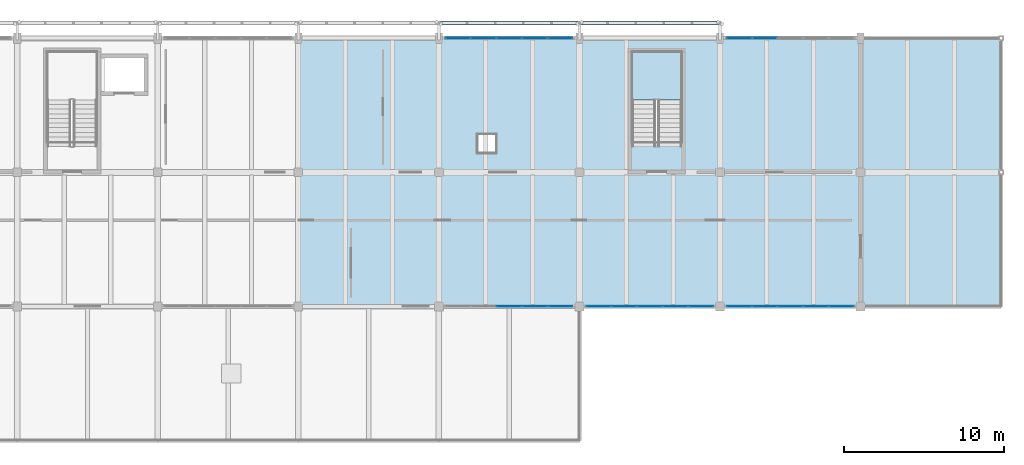
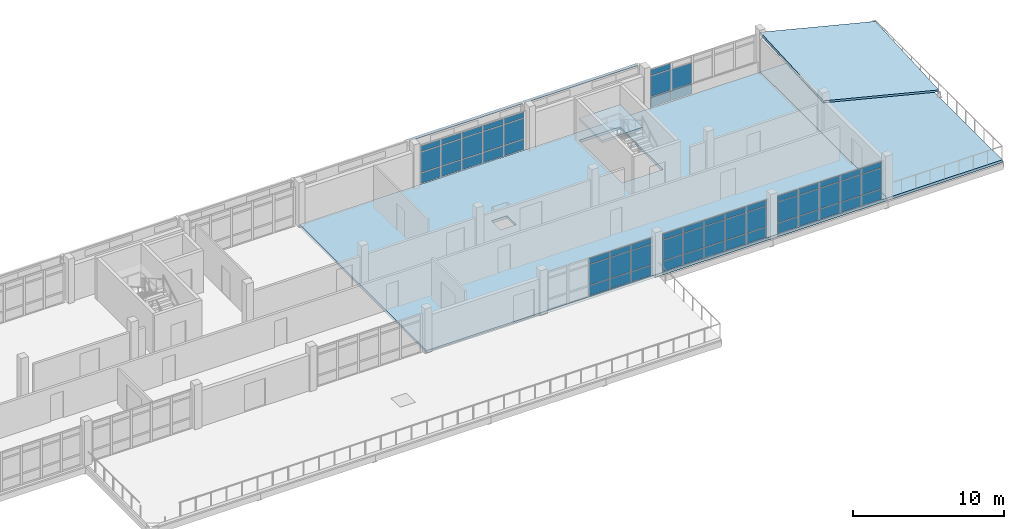
# One storey, part 22 of 30: 61 plates, 4 slabs, 6 elements without a shape of their own.
"""IFC4 building model written with IfcOpenShell, lengths in metres."""

from ifc_helpers import new_model, si_unit, direction, frame, origin, origin_2d, place, context, subcontext, project, spatial, polyline, rectangle, outline, extrude, material, layer, layer_set, type_object, element, aggregate, save


model = new_model("IFC4")

# Units and contexts
model_context = context("Model", 3, precision=1e-05, world=origin(), true_north=direction((0.0, 1.0)))
body_context = subcontext(model_context, "Body", "Model", "MODEL_VIEW")
ifc_project = project(units=[si_unit("LENGTHUNIT", "METRE"), si_unit("AREAUNIT", "SQUARE_METRE"), si_unit("VOLUMEUNIT", "CUBIC_METRE"), si_unit("PLANEANGLEUNIT", "RADIAN"), si_unit("MASSUNIT", "GRAM", prefix="KILO")], contexts=[model_context])

# Site, building, storey
site_placement = place(None, origin())
site = spatial("IfcSite", under=ifc_project, at=site_placement, CompositionType="ELEMENT")
building_placement = place(site_placement, origin())
building = spatial("IfcBuilding", under=site, at=building_placement, Name="Cinderway Yard Community Centre", CompositionType="ELEMENT")
storey_placement = place(building_placement, frame((0.0, 0.0, 16.5)))
storey = spatial("IfcBuildingStorey", under=building, at=storey_placement, Name="L04", CompositionType="ELEMENT", Elevation=16.5)

# Curtain wall, plates
ifc_material_1 = material(Name="Aluminium 6063-T6", Category="aluminium")
curtain_wall_type = type_object("IfcCurtainWallType", Name="ENV-CW-TYPE-33", PredefinedType="USERDEFINED", material=ifc_material_1)
curtain_wall_1_placement = place(storey_placement, origin())
curtain_wall_1 = element("IfcCurtainWall", 1, at=curtain_wall_1_placement, inside=storey, type_object=curtain_wall_type, Name="V4 Street Curtain Wall ENV-CW-L04-ST-0183", ObjectType="GLAZED CURTAIN WALL", PredefinedType="USERDEFINED")
ifc_material_2 = material(Name="Laminated Low-E Glass", Category="glass")
ifc_layer_1 = layer(ifc_material_2, 0.028076171875, Name="Laminated Low-E Glass")
ifc_layer_set_1 = layer_set([ifc_layer_1], Name="Laminated Low-E Glass")
plate_type_1 = type_object("IfcPlateType", Name="ENV-CW-PAN-IGU28", PredefinedType="CURTAIN_PANEL", material=ifc_layer_set_1)
plate_1_placement = place(storey_placement, frame((102.799072265625, 115.199951171875, 0.06005859375), z_axis=(0.0, 0.0, 1.0), x_axis=(1.0, 0.0, 0.0)))
plate_1 = element("IfcPlate", 2, at=plate_1_placement, type_object=plate_type_1, Name="CW-33 panel 1.1", PredefinedType="CURTAIN_PANEL", context=body_context, shape_type="SweptSolid", body=[
    extrude(rectangle(XDim=1.51806640625, YDim=0.028076171875, at=origin_2d()), origin(), (0.0, 0.0, 1.0), 0.81005859375),
])
plate_2_placement = place(storey_placement, frame((102.799072265625, 115.199951171875, 0.93017578125), z_axis=(0.0, 0.0, 1.0), x_axis=(1.0, 0.0, 0.0)))
plate_2 = element("IfcPlate", 3, at=plate_2_placement, type_object=plate_type_1, Name="CW-33 panel 1.2", PredefinedType="CURTAIN_PANEL", context=body_context, shape_type="SweptSolid", body=[
    extrude(rectangle(XDim=1.51806640625, YDim=0.028076171875, at=origin_2d()), origin(), (0.0, 0.0, 1.0), 1.639892578125),
])
plate_3_placement = place(storey_placement, frame((102.799072265625, 115.199951171875, 2.630126953125), z_axis=(0.0, 0.0, 1.0), x_axis=(1.0, 0.0, 0.0)))
plate_3 = element("IfcPlate", 4, at=plate_3_placement, type_object=plate_type_1, Name="CW-33 panel 1.3", PredefinedType="CURTAIN_PANEL", context=body_context, shape_type="SweptSolid", body=[
    extrude(rectangle(XDim=1.51806640625, YDim=0.028076171875, at=origin_2d()), origin(), (0.0, 0.0, 1.0), 0.4599609375),
])
plate_4_placement = place(storey_placement, frame((104.39208984375, 115.199951171875, 0.06005859375), z_axis=(0.0, 0.0, 1.0), x_axis=(1.0, 0.0, 0.0)))
plate_4 = element("IfcPlate", 5, at=plate_4_placement, type_object=plate_type_1, Name="CW-33 panel 2.1", PredefinedType="CURTAIN_PANEL", context=body_context, shape_type="SweptSolid", body=[
    extrude(rectangle(XDim=1.548095703125, YDim=0.028076171875, at=origin_2d()), origin(), (0.0, 0.0, 1.0), 0.81005859375),
])
plate_5_placement = place(storey_placement, frame((104.39208984375, 115.199951171875, 0.93017578125), z_axis=(0.0, 0.0, 1.0), x_axis=(1.0, 0.0, 0.0)))
plate_5 = element("IfcPlate", 6, at=plate_5_placement, type_object=plate_type_1, Name="CW-33 panel 2.2", PredefinedType="CURTAIN_PANEL", context=body_context, shape_type="SweptSolid", body=[
    extrude(rectangle(XDim=1.548095703125, YDim=0.028076171875, at=origin_2d()), origin(), (0.0, 0.0, 1.0), 1.639892578125),
])
plate_6_placement = place(storey_placement, frame((104.39208984375, 115.199951171875, 2.630126953125), z_axis=(0.0, 0.0, 1.0), x_axis=(1.0, 0.0, 0.0)))
plate_6 = element("IfcPlate", 7, at=plate_6_placement, type_object=plate_type_1, Name="CW-33 panel 2.3", PredefinedType="CURTAIN_PANEL", context=body_context, shape_type="SweptSolid", body=[
    extrude(rectangle(XDim=1.548095703125, YDim=0.028076171875, at=origin_2d()), origin(), (0.0, 0.0, 1.0), 0.4599609375),
])
plate_7_placement = place(storey_placement, frame((106.0, 115.199951171875, 0.06005859375), z_axis=(0.0, 0.0, 1.0), x_axis=(1.0, 0.0, 0.0)))
plate_7 = element("IfcPlate", 8, at=plate_7_placement, type_object=plate_type_1, Name="CW-33 panel 3.1", PredefinedType="CURTAIN_PANEL", context=body_context, shape_type="SweptSolid", body=[
    extrude(rectangle(XDim=1.548095703125, YDim=0.028076171875, at=origin_2d()), origin(), (0.0, 0.0, 1.0), 0.81005859375),
])
plate_8_placement = place(storey_placement, frame((106.0, 115.199951171875, 0.93017578125), z_axis=(0.0, 0.0, 1.0), x_axis=(1.0, 0.0, 0.0)))
plate_8 = element("IfcPlate", 9, at=plate_8_placement, type_object=plate_type_1, Name="CW-33 panel 3.2", PredefinedType="CURTAIN_PANEL", context=body_context, shape_type="SweptSolid", body=[
    extrude(rectangle(XDim=1.548095703125, YDim=0.028076171875, at=origin_2d()), origin(), (0.0, 0.0, 1.0), 1.639892578125),
])
plate_9_placement = place(storey_placement, frame((106.0, 115.199951171875, 2.630126953125), z_axis=(0.0, 0.0, 1.0), x_axis=(1.0, 0.0, 0.0)))
plate_9 = element("IfcPlate", 10, at=plate_9_placement, type_object=plate_type_1, Name="CW-33 panel 3.3", PredefinedType="CURTAIN_PANEL", context=body_context, shape_type="SweptSolid", body=[
    extrude(rectangle(XDim=1.548095703125, YDim=0.028076171875, at=origin_2d()), origin(), (0.0, 0.0, 1.0), 0.4599609375),
])
plate_10_placement = place(storey_placement, frame((107.60791015625, 115.199951171875, 0.06005859375), z_axis=(0.0, 0.0, 1.0), x_axis=(1.0, 0.0, 0.0)))
plate_10 = element("IfcPlate", 11, at=plate_10_placement, type_object=plate_type_1, Name="CW-33 panel 4.1", PredefinedType="CURTAIN_PANEL", context=body_context, shape_type="SweptSolid", body=[
    extrude(rectangle(XDim=1.548095703125, YDim=0.028076171875, at=origin_2d()), origin(), (0.0, 0.0, 1.0), 0.81005859375),
])
plate_11_placement = place(storey_placement, frame((107.60791015625, 115.199951171875, 0.93017578125), z_axis=(0.0, 0.0, 1.0), x_axis=(1.0, 0.0, 0.0)))
plate_11 = element("IfcPlate", 12, at=plate_11_placement, type_object=plate_type_1, Name="CW-33 panel 4.2", PredefinedType="CURTAIN_PANEL", context=body_context, shape_type="SweptSolid", body=[
    extrude(rectangle(XDim=1.548095703125, YDim=0.028076171875, at=origin_2d()), origin(), (0.0, 0.0, 1.0), 1.639892578125),
])
plate_12_placement = place(storey_placement, frame((107.60791015625, 115.199951171875, 2.630126953125), z_axis=(0.0, 0.0, 1.0), x_axis=(1.0, 0.0, 0.0)))
plate_12 = element("IfcPlate", 13, at=plate_12_placement, type_object=plate_type_1, Name="CW-33 panel 4.3", PredefinedType="CURTAIN_PANEL", context=body_context, shape_type="SweptSolid", body=[
    extrude(rectangle(XDim=1.548095703125, YDim=0.028076171875, at=origin_2d()), origin(), (0.0, 0.0, 1.0), 0.4599609375),
])
plate_13_placement = place(storey_placement, frame((109.200927734375, 115.199951171875, 0.06005859375), z_axis=(0.0, 0.0, 1.0), x_axis=(1.0, 0.0, 0.0)))
plate_13 = element("IfcPlate", 14, at=plate_13_placement, type_object=plate_type_1, Name="CW-33 panel 5.1", PredefinedType="CURTAIN_PANEL", context=body_context, shape_type="SweptSolid", body=[
    extrude(rectangle(XDim=1.51806640625, YDim=0.028076171875, at=origin_2d()), origin(), (0.0, 0.0, 1.0), 0.81005859375),
])
plate_14_placement = place(storey_placement, frame((109.200927734375, 115.199951171875, 0.93017578125), z_axis=(0.0, 0.0, 1.0), x_axis=(1.0, 0.0, 0.0)))
plate_14 = element("IfcPlate", 15, at=plate_14_placement, type_object=plate_type_1, Name="CW-33 panel 5.2", PredefinedType="CURTAIN_PANEL", context=body_context, shape_type="SweptSolid", body=[
    extrude(rectangle(XDim=1.51806640625, YDim=0.028076171875, at=origin_2d()), origin(), (0.0, 0.0, 1.0), 1.639892578125),
])
plate_15_placement = place(storey_placement, frame((109.200927734375, 115.199951171875, 2.630126953125), z_axis=(0.0, 0.0, 1.0), x_axis=(1.0, 0.0, 0.0)))
plate_15 = element("IfcPlate", 16, at=plate_15_placement, type_object=plate_type_1, Name="CW-33 panel 5.3", PredefinedType="CURTAIN_PANEL", context=body_context, shape_type="SweptSolid", body=[
    extrude(rectangle(XDim=1.51806640625, YDim=0.028076171875, at=origin_2d()), origin(), (0.0, 0.0, 1.0), 0.4599609375),
])
aggregate(curtain_wall_1, [plate_1, plate_2, plate_3, plate_4, plate_5, plate_6, plate_7, plate_8, plate_9, plate_10, plate_11, plate_12, plate_13, plate_14, plate_15])

curtain_wall_2_placement = place(storey_placement, origin())
curtain_wall_2 = element("IfcCurtainWall", 17, at=curtain_wall_2_placement, inside=storey, type_object=curtain_wall_type, Name="V4 Courtyard Curtain Wall ENV-CW-L04-ST-0184", ObjectType="GLAZED CURTAIN WALL", PredefinedType="USERDEFINED")
plate_16_placement = place(storey_placement, frame((106.0, 98.39990234375, 0.06005859375), z_axis=(0.0, 0.0, 1.0), x_axis=(1.0, 0.0, 0.0)))
plate_16 = element("IfcPlate", 18, at=plate_16_placement, type_object=plate_type_1, Name="CW-33 panel 3.1", PredefinedType="CURTAIN_PANEL", context=body_context, shape_type="SweptSolid", body=[
    extrude(rectangle(XDim=1.548095703125, YDim=0.028076171875, at=origin_2d()), origin(), (0.0, 0.0, 1.0), 0.81005859375),
])
plate_17_placement = place(storey_placement, frame((106.0, 98.39990234375, 0.93017578125), z_axis=(0.0, 0.0, 1.0), x_axis=(1.0, 0.0, 0.0)))
plate_17 = element("IfcPlate", 19, at=plate_17_placement, type_object=plate_type_1, Name="CW-33 panel 3.2", PredefinedType="CURTAIN_PANEL", context=body_context, shape_type="SweptSolid", body=[
    extrude(rectangle(XDim=1.548095703125, YDim=0.028076171875, at=origin_2d()), origin(), (0.0, 0.0, 1.0), 1.639892578125),
])
plate_18_placement = place(storey_placement, frame((106.0, 98.39990234375, 2.630126953125), z_axis=(0.0, 0.0, 1.0), x_axis=(1.0, 0.0, 0.0)))
plate_18 = element("IfcPlate", 20, at=plate_18_placement, type_object=plate_type_1, Name="CW-33 panel 3.3", PredefinedType="CURTAIN_PANEL", context=body_context, shape_type="SweptSolid", body=[
    extrude(rectangle(XDim=1.548095703125, YDim=0.028076171875, at=origin_2d()), origin(), (0.0, 0.0, 1.0), 0.4599609375),
])
plate_19_placement = place(storey_placement, frame((107.60791015625, 98.39990234375, 0.06005859375), z_axis=(0.0, 0.0, 1.0), x_axis=(1.0, 0.0, 0.0)))
plate_19 = element("IfcPlate", 21, at=plate_19_placement, type_object=plate_type_1, Name="CW-33 panel 4.1", PredefinedType="CURTAIN_PANEL", context=body_context, shape_type="SweptSolid", body=[
    extrude(rectangle(XDim=1.548095703125, YDim=0.028076171875, at=origin_2d()), origin(), (0.0, 0.0, 1.0), 0.81005859375),
])
plate_20_placement = place(storey_placement, frame((107.60791015625, 98.39990234375, 0.93017578125), z_axis=(0.0, 0.0, 1.0), x_axis=(1.0, 0.0, 0.0)))
plate_20 = element("IfcPlate", 22, at=plate_20_placement, type_object=plate_type_1, Name="CW-33 panel 4.2", PredefinedType="CURTAIN_PANEL", context=body_context, shape_type="SweptSolid", body=[
    extrude(rectangle(XDim=1.548095703125, YDim=0.028076171875, at=origin_2d()), origin(), (0.0, 0.0, 1.0), 1.639892578125),
])
plate_21_placement = place(storey_placement, frame((107.60791015625, 98.39990234375, 2.630126953125), z_axis=(0.0, 0.0, 1.0), x_axis=(1.0, 0.0, 0.0)))
plate_21 = element("IfcPlate", 23, at=plate_21_placement, type_object=plate_type_1, Name="CW-33 panel 4.3", PredefinedType="CURTAIN_PANEL", context=body_context, shape_type="SweptSolid", body=[
    extrude(rectangle(XDim=1.548095703125, YDim=0.028076171875, at=origin_2d()), origin(), (0.0, 0.0, 1.0), 0.4599609375),
])
plate_22_placement = place(storey_placement, frame((109.200927734375, 98.39990234375, 0.06005859375), z_axis=(0.0, 0.0, 1.0), x_axis=(1.0, 0.0, 0.0)))
plate_22 = element("IfcPlate", 24, at=plate_22_placement, type_object=plate_type_1, Name="CW-33 panel 5.1", PredefinedType="CURTAIN_PANEL", context=body_context, shape_type="SweptSolid", body=[
    extrude(rectangle(XDim=1.51806640625, YDim=0.028076171875, at=origin_2d()), origin(), (0.0, 0.0, 1.0), 0.81005859375),
])
plate_23_placement = place(storey_placement, frame((109.200927734375, 98.39990234375, 0.93017578125), z_axis=(0.0, 0.0, 1.0), x_axis=(1.0, 0.0, 0.0)))
plate_23 = element("IfcPlate", 25, at=plate_23_placement, type_object=plate_type_1, Name="CW-33 panel 5.2", PredefinedType="CURTAIN_PANEL", context=body_context, shape_type="SweptSolid", body=[
    extrude(rectangle(XDim=1.51806640625, YDim=0.028076171875, at=origin_2d()), origin(), (0.0, 0.0, 1.0), 1.639892578125),
])
plate_24_placement = place(storey_placement, frame((109.200927734375, 98.39990234375, 2.630126953125), z_axis=(0.0, 0.0, 1.0), x_axis=(1.0, 0.0, 0.0)))
plate_24 = element("IfcPlate", 26, at=plate_24_placement, type_object=plate_type_1, Name="CW-33 panel 5.3", PredefinedType="CURTAIN_PANEL", context=body_context, shape_type="SweptSolid", body=[
    extrude(rectangle(XDim=1.51806640625, YDim=0.028076171875, at=origin_2d()), origin(), (0.0, 0.0, 1.0), 0.4599609375),
])
aggregate(curtain_wall_2, [plate_16, plate_17, plate_18, plate_19, plate_20, plate_21, plate_22, plate_23, plate_24])

curtain_wall_3_placement = place(storey_placement, origin())
curtain_wall_3 = element("IfcCurtainWall", 27, at=curtain_wall_3_placement, inside=storey, type_object=curtain_wall_type, Name="V4 Courtyard Curtain Wall ENV-CW-L04-ST-0185", ObjectType="GLAZED CURTAIN WALL", PredefinedType="USERDEFINED")
plate_25_placement = place(storey_placement, frame((111.59912109375, 98.39990234375, 0.06005859375), z_axis=(0.0, 0.0, 1.0), x_axis=(1.0, 0.0, 0.0)))
plate_25 = element("IfcPlate", 28, at=plate_25_placement, type_object=plate_type_1, Name="CW-33 panel 1.1", PredefinedType="CURTAIN_PANEL", context=body_context, shape_type="SweptSolid", body=[
    extrude(rectangle(XDim=1.51806640625, YDim=0.028076171875, at=origin_2d()), origin(), (0.0, 0.0, 1.0), 0.81005859375),
])
plate_26_placement = place(storey_placement, frame((111.59912109375, 98.39990234375, 0.93017578125), z_axis=(0.0, 0.0, 1.0), x_axis=(1.0, 0.0, 0.0)))
plate_26 = element("IfcPlate", 29, at=plate_26_placement, type_object=plate_type_1, Name="CW-33 panel 1.2", PredefinedType="CURTAIN_PANEL", context=body_context, shape_type="SweptSolid", body=[
    extrude(rectangle(XDim=1.51806640625, YDim=0.028076171875, at=origin_2d()), origin(), (0.0, 0.0, 1.0), 1.639892578125),
])
plate_27_placement = place(storey_placement, frame((111.59912109375, 98.39990234375, 2.630126953125), z_axis=(0.0, 0.0, 1.0), x_axis=(1.0, 0.0, 0.0)))
plate_27 = element("IfcPlate", 30, at=plate_27_placement, type_object=plate_type_1, Name="CW-33 panel 1.3", PredefinedType="CURTAIN_PANEL", context=body_context, shape_type="SweptSolid", body=[
    extrude(rectangle(XDim=1.51806640625, YDim=0.028076171875, at=origin_2d()), origin(), (0.0, 0.0, 1.0), 0.4599609375),
])
plate_28_placement = place(storey_placement, frame((113.19189453125, 98.39990234375, 0.06005859375), z_axis=(0.0, 0.0, 1.0), x_axis=(1.0, 0.0, 0.0)))
plate_28 = element("IfcPlate", 31, at=plate_28_placement, type_object=plate_type_1, Name="CW-33 panel 2.1", PredefinedType="CURTAIN_PANEL", context=body_context, shape_type="SweptSolid", body=[
    extrude(rectangle(XDim=1.548095703125, YDim=0.028076171875, at=origin_2d()), origin(), (0.0, 0.0, 1.0), 0.81005859375),
])
plate_29_placement = place(storey_placement, frame((113.19189453125, 98.39990234375, 0.93017578125), z_axis=(0.0, 0.0, 1.0), x_axis=(1.0, 0.0, 0.0)))
plate_29 = element("IfcPlate", 32, at=plate_29_placement, type_object=plate_type_1, Name="CW-33 panel 2.2", PredefinedType="CURTAIN_PANEL", context=body_context, shape_type="SweptSolid", body=[
    extrude(rectangle(XDim=1.548095703125, YDim=0.028076171875, at=origin_2d()), origin(), (0.0, 0.0, 1.0), 1.639892578125),
])
plate_30_placement = place(storey_placement, frame((113.19189453125, 98.39990234375, 2.630126953125), z_axis=(0.0, 0.0, 1.0), x_axis=(1.0, 0.0, 0.0)))
plate_30 = element("IfcPlate", 33, at=plate_30_placement, type_object=plate_type_1, Name="CW-33 panel 2.3", PredefinedType="CURTAIN_PANEL", context=body_context, shape_type="SweptSolid", body=[
    extrude(rectangle(XDim=1.548095703125, YDim=0.028076171875, at=origin_2d()), origin(), (0.0, 0.0, 1.0), 0.4599609375),
])
plate_31_placement = place(storey_placement, frame((114.800048828125, 98.39990234375, 0.06005859375), z_axis=(0.0, 0.0, 1.0), x_axis=(1.0, 0.0, 0.0)))
plate_31 = element("IfcPlate", 34, at=plate_31_placement, type_object=plate_type_1, Name="CW-33 panel 3.1", PredefinedType="CURTAIN_PANEL", context=body_context, shape_type="SweptSolid", body=[
    extrude(rectangle(XDim=1.548095703125, YDim=0.028076171875, at=origin_2d()), origin(), (0.0, 0.0, 1.0), 0.81005859375),
])
plate_32_placement = place(storey_placement, frame((114.800048828125, 98.39990234375, 0.93017578125), z_axis=(0.0, 0.0, 1.0), x_axis=(1.0, 0.0, 0.0)))
plate_32 = element("IfcPlate", 35, at=plate_32_placement, type_object=plate_type_1, Name="CW-33 panel 3.2", PredefinedType="CURTAIN_PANEL", context=body_context, shape_type="SweptSolid", body=[
    extrude(rectangle(XDim=1.548095703125, YDim=0.028076171875, at=origin_2d()), origin(), (0.0, 0.0, 1.0), 1.639892578125),
])
plate_33_placement = place(storey_placement, frame((114.800048828125, 98.39990234375, 2.630126953125), z_axis=(0.0, 0.0, 1.0), x_axis=(1.0, 0.0, 0.0)))
plate_33 = element("IfcPlate", 36, at=plate_33_placement, type_object=plate_type_1, Name="CW-33 panel 3.3", PredefinedType="CURTAIN_PANEL", context=body_context, shape_type="SweptSolid", body=[
    extrude(rectangle(XDim=1.548095703125, YDim=0.028076171875, at=origin_2d()), origin(), (0.0, 0.0, 1.0), 0.4599609375),
])
plate_34_placement = place(storey_placement, frame((116.407958984375, 98.39990234375, 0.06005859375), z_axis=(0.0, 0.0, 1.0), x_axis=(1.0, 0.0, 0.0)))
plate_34 = element("IfcPlate", 37, at=plate_34_placement, type_object=plate_type_1, Name="CW-33 panel 4.1", PredefinedType="CURTAIN_PANEL", context=body_context, shape_type="SweptSolid", body=[
    extrude(rectangle(XDim=1.548095703125, YDim=0.028076171875, at=origin_2d()), origin(), (0.0, 0.0, 1.0), 0.81005859375),
])
plate_35_placement = place(storey_placement, frame((116.407958984375, 98.39990234375, 0.93017578125), z_axis=(0.0, 0.0, 1.0), x_axis=(1.0, 0.0, 0.0)))
plate_35 = element("IfcPlate", 38, at=plate_35_placement, type_object=plate_type_1, Name="CW-33 panel 4.2", PredefinedType="CURTAIN_PANEL", context=body_context, shape_type="SweptSolid", body=[
    extrude(rectangle(XDim=1.548095703125, YDim=0.028076171875, at=origin_2d()), origin(), (0.0, 0.0, 1.0), 1.639892578125),
])
plate_36_placement = place(storey_placement, frame((116.407958984375, 98.39990234375, 2.630126953125), z_axis=(0.0, 0.0, 1.0), x_axis=(1.0, 0.0, 0.0)))
plate_36 = element("IfcPlate", 39, at=plate_36_placement, type_object=plate_type_1, Name="CW-33 panel 4.3", PredefinedType="CURTAIN_PANEL", context=body_context, shape_type="SweptSolid", body=[
    extrude(rectangle(XDim=1.548095703125, YDim=0.028076171875, at=origin_2d()), origin(), (0.0, 0.0, 1.0), 0.4599609375),
])
plate_37_placement = place(storey_placement, frame((118.0009765625, 98.39990234375, 0.06005859375), z_axis=(0.0, 0.0, 1.0), x_axis=(1.0, 0.0, 0.0)))
plate_37 = element("IfcPlate", 40, at=plate_37_placement, type_object=plate_type_1, Name="CW-33 panel 5.1", PredefinedType="CURTAIN_PANEL", context=body_context, shape_type="SweptSolid", body=[
    extrude(rectangle(XDim=1.51806640625, YDim=0.028076171875, at=origin_2d()), origin(), (0.0, 0.0, 1.0), 0.81005859375),
])
plate_38_placement = place(storey_placement, frame((118.0009765625, 98.39990234375, 0.93017578125), z_axis=(0.0, 0.0, 1.0), x_axis=(1.0, 0.0, 0.0)))
plate_38 = element("IfcPlate", 41, at=plate_38_placement, type_object=plate_type_1, Name="CW-33 panel 5.2", PredefinedType="CURTAIN_PANEL", context=body_context, shape_type="SweptSolid", body=[
    extrude(rectangle(XDim=1.51806640625, YDim=0.028076171875, at=origin_2d()), origin(), (0.0, 0.0, 1.0), 1.639892578125),
])
plate_39_placement = place(storey_placement, frame((118.0009765625, 98.39990234375, 2.630126953125), z_axis=(0.0, 0.0, 1.0), x_axis=(1.0, 0.0, 0.0)))
plate_39 = element("IfcPlate", 42, at=plate_39_placement, type_object=plate_type_1, Name="CW-33 panel 5.3", PredefinedType="CURTAIN_PANEL", context=body_context, shape_type="SweptSolid", body=[
    extrude(rectangle(XDim=1.51806640625, YDim=0.028076171875, at=origin_2d()), origin(), (0.0, 0.0, 1.0), 0.4599609375),
])
aggregate(curtain_wall_3, [plate_25, plate_26, plate_27, plate_28, plate_29, plate_30, plate_31, plate_32, plate_33, plate_34, plate_35, plate_36, plate_37, plate_38, plate_39])

curtain_wall_4_placement = place(storey_placement, origin())
curtain_wall_4 = element("IfcCurtainWall", 43, at=curtain_wall_4_placement, inside=storey, type_object=curtain_wall_type, Name="V4 Street Curtain Wall ENV-CW-L04-ST-0186", ObjectType="GLAZED CURTAIN WALL", PredefinedType="USERDEFINED")
plate_40_placement = place(storey_placement, frame((120.39892578125, 115.199951171875, 0.06005859375), z_axis=(0.0, 0.0, 1.0), x_axis=(1.0, 0.0, 0.0)))
plate_40 = element("IfcPlate", 44, at=plate_40_placement, type_object=plate_type_1, Name="CW-33 panel 1.1", PredefinedType="CURTAIN_PANEL", context=body_context, shape_type="SweptSolid", body=[
    extrude(rectangle(XDim=1.51806640625, YDim=0.028076171875, at=origin_2d()), origin(), (0.0, 0.0, 1.0), 0.81005859375),
])
plate_41_placement = place(storey_placement, frame((120.39892578125, 115.199951171875, 0.93017578125), z_axis=(0.0, 0.0, 1.0), x_axis=(1.0, 0.0, 0.0)))
plate_41 = element("IfcPlate", 45, at=plate_41_placement, type_object=plate_type_1, Name="CW-33 panel 1.2", PredefinedType="CURTAIN_PANEL", context=body_context, shape_type="SweptSolid", body=[
    extrude(rectangle(XDim=1.51806640625, YDim=0.028076171875, at=origin_2d()), origin(), (0.0, 0.0, 1.0), 1.639892578125),
])
plate_42_placement = place(storey_placement, frame((120.39892578125, 115.199951171875, 2.630126953125), z_axis=(0.0, 0.0, 1.0), x_axis=(1.0, 0.0, 0.0)))
plate_42 = element("IfcPlate", 46, at=plate_42_placement, type_object=plate_type_1, Name="CW-33 panel 1.3", PredefinedType="CURTAIN_PANEL", context=body_context, shape_type="SweptSolid", body=[
    extrude(rectangle(XDim=1.51806640625, YDim=0.028076171875, at=origin_2d()), origin(), (0.0, 0.0, 1.0), 0.4599609375),
])
plate_43_placement = place(storey_placement, frame((121.991943359375, 115.199951171875, 0.06005859375), z_axis=(0.0, 0.0, 1.0), x_axis=(1.0, 0.0, 0.0)))
plate_43 = element("IfcPlate", 47, at=plate_43_placement, type_object=plate_type_1, Name="CW-33 panel 2.1", PredefinedType="CURTAIN_PANEL", context=body_context, shape_type="SweptSolid", body=[
    extrude(rectangle(XDim=1.548095703125, YDim=0.028076171875, at=origin_2d()), origin(), (0.0, 0.0, 1.0), 0.81005859375),
])
plate_44_placement = place(storey_placement, frame((121.991943359375, 115.199951171875, 0.93017578125), z_axis=(0.0, 0.0, 1.0), x_axis=(1.0, 0.0, 0.0)))
plate_44 = element("IfcPlate", 48, at=plate_44_placement, type_object=plate_type_1, Name="CW-33 panel 2.2", PredefinedType="CURTAIN_PANEL", context=body_context, shape_type="SweptSolid", body=[
    extrude(rectangle(XDim=1.548095703125, YDim=0.028076171875, at=origin_2d()), origin(), (0.0, 0.0, 1.0), 1.639892578125),
])
aggregate(curtain_wall_4, [plate_40, plate_41, plate_42, plate_43, plate_44])

curtain_wall_5_placement = place(storey_placement, origin())
curtain_wall_5 = element("IfcCurtainWall", 49, at=curtain_wall_5_placement, inside=storey, type_object=curtain_wall_type, Name="V4 Courtyard Curtain Wall ENV-CW-L04-ST-0187", ObjectType="GLAZED CURTAIN WALL", PredefinedType="USERDEFINED")
plate_45_placement = place(storey_placement, frame((120.39892578125, 98.39990234375, 0.06005859375), z_axis=(0.0, 0.0, 1.0), x_axis=(1.0, 0.0, 0.0)))
plate_45 = element("IfcPlate", 50, at=plate_45_placement, type_object=plate_type_1, Name="CW-33 panel 1.1", PredefinedType="CURTAIN_PANEL", context=body_context, shape_type="SweptSolid", body=[
    extrude(rectangle(XDim=1.51806640625, YDim=0.028076171875, at=origin_2d()), origin(), (0.0, 0.0, 1.0), 0.81005859375),
])
plate_46_placement = place(storey_placement, frame((120.39892578125, 98.39990234375, 0.93017578125), z_axis=(0.0, 0.0, 1.0), x_axis=(1.0, 0.0, 0.0)))
plate_46 = element("IfcPlate", 51, at=plate_46_placement, type_object=plate_type_1, Name="CW-33 panel 1.2", PredefinedType="CURTAIN_PANEL", context=body_context, shape_type="SweptSolid", body=[
    extrude(rectangle(XDim=1.51806640625, YDim=0.028076171875, at=origin_2d()), origin(), (0.0, 0.0, 1.0), 1.639892578125),
])
plate_47_placement = place(storey_placement, frame((120.39892578125, 98.39990234375, 2.630126953125), z_axis=(0.0, 0.0, 1.0), x_axis=(1.0, 0.0, 0.0)))
plate_47 = element("IfcPlate", 52, at=plate_47_placement, type_object=plate_type_1, Name="CW-33 panel 1.3", PredefinedType="CURTAIN_PANEL", context=body_context, shape_type="SweptSolid", body=[
    extrude(rectangle(XDim=1.51806640625, YDim=0.028076171875, at=origin_2d()), origin(), (0.0, 0.0, 1.0), 0.4599609375),
])
plate_48_placement = place(storey_placement, frame((121.991943359375, 98.39990234375, 0.06005859375), z_axis=(0.0, 0.0, 1.0), x_axis=(1.0, 0.0, 0.0)))
plate_48 = element("IfcPlate", 53, at=plate_48_placement, type_object=plate_type_1, Name="CW-33 panel 2.1", PredefinedType="CURTAIN_PANEL", context=body_context, shape_type="SweptSolid", body=[
    extrude(rectangle(XDim=1.548095703125, YDim=0.028076171875, at=origin_2d()), origin(), (0.0, 0.0, 1.0), 0.81005859375),
])
plate_49_placement = place(storey_placement, frame((121.991943359375, 98.39990234375, 0.93017578125), z_axis=(0.0, 0.0, 1.0), x_axis=(1.0, 0.0, 0.0)))
plate_49 = element("IfcPlate", 54, at=plate_49_placement, type_object=plate_type_1, Name="CW-33 panel 2.2", PredefinedType="CURTAIN_PANEL", context=body_context, shape_type="SweptSolid", body=[
    extrude(rectangle(XDim=1.548095703125, YDim=0.028076171875, at=origin_2d()), origin(), (0.0, 0.0, 1.0), 1.639892578125),
])
plate_50_placement = place(storey_placement, frame((121.991943359375, 98.39990234375, 2.630126953125), z_axis=(0.0, 0.0, 1.0), x_axis=(1.0, 0.0, 0.0)))
plate_50 = element("IfcPlate", 55, at=plate_50_placement, type_object=plate_type_1, Name="CW-33 panel 2.3", PredefinedType="CURTAIN_PANEL", context=body_context, shape_type="SweptSolid", body=[
    extrude(rectangle(XDim=1.548095703125, YDim=0.028076171875, at=origin_2d()), origin(), (0.0, 0.0, 1.0), 0.4599609375),
])
plate_51_placement = place(storey_placement, frame((123.60009765625, 98.39990234375, 0.06005859375), z_axis=(0.0, 0.0, 1.0), x_axis=(1.0, 0.0, 0.0)))
plate_51 = element("IfcPlate", 56, at=plate_51_placement, type_object=plate_type_1, Name="CW-33 panel 3.1", PredefinedType="CURTAIN_PANEL", context=body_context, shape_type="SweptSolid", body=[
    extrude(rectangle(XDim=1.548095703125, YDim=0.028076171875, at=origin_2d()), origin(), (0.0, 0.0, 1.0), 0.81005859375),
])
plate_52_placement = place(storey_placement, frame((123.60009765625, 98.39990234375, 0.93017578125), z_axis=(0.0, 0.0, 1.0), x_axis=(1.0, 0.0, 0.0)))
plate_52 = element("IfcPlate", 57, at=plate_52_placement, type_object=plate_type_1, Name="CW-33 panel 3.2", PredefinedType="CURTAIN_PANEL", context=body_context, shape_type="SweptSolid", body=[
    extrude(rectangle(XDim=1.548095703125, YDim=0.028076171875, at=origin_2d()), origin(), (0.0, 0.0, 1.0), 1.639892578125),
])
plate_53_placement = place(storey_placement, frame((123.60009765625, 98.39990234375, 2.630126953125), z_axis=(0.0, 0.0, 1.0), x_axis=(1.0, 0.0, 0.0)))
plate_53 = element("IfcPlate", 58, at=plate_53_placement, type_object=plate_type_1, Name="CW-33 panel 3.3", PredefinedType="CURTAIN_PANEL", context=body_context, shape_type="SweptSolid", body=[
    extrude(rectangle(XDim=1.548095703125, YDim=0.028076171875, at=origin_2d()), origin(), (0.0, 0.0, 1.0), 0.4599609375),
])
plate_54_placement = place(storey_placement, frame((125.2080078125, 98.39990234375, 0.06005859375), z_axis=(0.0, 0.0, 1.0), x_axis=(1.0, 0.0, 0.0)))
plate_54 = element("IfcPlate", 59, at=plate_54_placement, type_object=plate_type_1, Name="CW-33 panel 4.1", PredefinedType="CURTAIN_PANEL", context=body_context, shape_type="SweptSolid", body=[
    extrude(rectangle(XDim=1.548095703125, YDim=0.028076171875, at=origin_2d()), origin(), (0.0, 0.0, 1.0), 0.81005859375),
])
plate_55_placement = place(storey_placement, frame((125.2080078125, 98.39990234375, 0.93017578125), z_axis=(0.0, 0.0, 1.0), x_axis=(1.0, 0.0, 0.0)))
plate_55 = element("IfcPlate", 60, at=plate_55_placement, type_object=plate_type_1, Name="CW-33 panel 4.2", PredefinedType="CURTAIN_PANEL", context=body_context, shape_type="SweptSolid", body=[
    extrude(rectangle(XDim=1.548095703125, YDim=0.028076171875, at=origin_2d()), origin(), (0.0, 0.0, 1.0), 1.639892578125),
])
plate_56_placement = place(storey_placement, frame((125.2080078125, 98.39990234375, 2.630126953125), z_axis=(0.0, 0.0, 1.0), x_axis=(1.0, 0.0, 0.0)))
plate_56 = element("IfcPlate", 61, at=plate_56_placement, type_object=plate_type_1, Name="CW-33 panel 4.3", PredefinedType="CURTAIN_PANEL", context=body_context, shape_type="SweptSolid", body=[
    extrude(rectangle(XDim=1.548095703125, YDim=0.028076171875, at=origin_2d()), origin(), (0.0, 0.0, 1.0), 0.4599609375),
])
plate_57_placement = place(storey_placement, frame((126.801025390625, 98.39990234375, 0.06005859375), z_axis=(0.0, 0.0, 1.0), x_axis=(1.0, 0.0, 0.0)))
plate_57 = element("IfcPlate", 62, at=plate_57_placement, type_object=plate_type_1, Name="CW-33 panel 5.1", PredefinedType="CURTAIN_PANEL", context=body_context, shape_type="SweptSolid", body=[
    extrude(rectangle(XDim=1.51806640625, YDim=0.028076171875, at=origin_2d()), origin(), (0.0, 0.0, 1.0), 0.81005859375),
])
plate_58_placement = place(storey_placement, frame((126.801025390625, 98.39990234375, 0.93017578125), z_axis=(0.0, 0.0, 1.0), x_axis=(1.0, 0.0, 0.0)))
plate_58 = element("IfcPlate", 63, at=plate_58_placement, type_object=plate_type_1, Name="CW-33 panel 5.2", PredefinedType="CURTAIN_PANEL", context=body_context, shape_type="SweptSolid", body=[
    extrude(rectangle(XDim=1.51806640625, YDim=0.028076171875, at=origin_2d()), origin(), (0.0, 0.0, 1.0), 1.639892578125),
])
plate_59_placement = place(storey_placement, frame((126.801025390625, 98.39990234375, 2.630126953125), z_axis=(0.0, 0.0, 1.0), x_axis=(1.0, 0.0, 0.0)))
plate_59 = element("IfcPlate", 64, at=plate_59_placement, type_object=plate_type_1, Name="CW-33 panel 5.3", PredefinedType="CURTAIN_PANEL", context=body_context, shape_type="SweptSolid", body=[
    extrude(rectangle(XDim=1.51806640625, YDim=0.028076171875, at=origin_2d()), origin(), (0.0, 0.0, 1.0), 0.4599609375),
])
aggregate(curtain_wall_5, [plate_45, plate_46, plate_47, plate_48, plate_49, plate_50, plate_51, plate_52, plate_53, plate_54, plate_55, plate_56, plate_57, plate_58, plate_59])

# Plates
ifc_layer_2 = layer(ifc_material_1, 0.01611328125, Name="Aluminium 6063-T6")
ifc_layer_set_2 = layer_set([ifc_layer_2], Name="Aluminium 6063-T6")
plate_type_2 = type_object("IfcPlateType", Name="ENV-PLT-FASCIA16", PredefinedType="USERDEFINED", material=ifc_layer_set_2)
for number, where, z_axis, x_axis, name in (
    (65, (106.0, 116.14990234375, 3.112060546875), (0.0, 0.0, 1.0), (1.0, 0.0, 0.0), "Screen coping fascia 0038"),
    (66, (114.800048828125, 116.14990234375, 3.112060546875), (0.0, 0.0, 1.0), (1.0, 0.0, 0.0), "Screen coping fascia 0039"),
):
    element("IfcPlate", number, at=place(storey_placement, frame(where, z_axis=z_axis, x_axis=x_axis)), inside=storey, type_object=plate_type_2, Name=name, ObjectType="FASCIA PLATE", PredefinedType="USERDEFINED", context=body_context, shape_type="SweptSolid", body=[
        extrude(rectangle(XDim=8.699951171875, YDim=0.260009765625, at=origin_2d()), origin(), (0.0, 0.0, 1.0), 0.01611328125),
    ])

# Stair, slab
ifc_material_3 = material(Name="Concrete C40/50", Category="concrete")
stair_type = type_object("IfcStairType", Name="INT-STR-360A", PredefinedType="HALF_TURN_STAIR", material=ifc_material_3)
stair_placement = place(storey_placement, origin())
stair = element("IfcStair", 67, at=stair_placement, inside=storey, type_object=stair_type, Name="L04 Core C2B Exit Stair ST-03", PredefinedType="HALF_TURN_STAIR")
ifc_layer_3 = layer(ifc_material_3, 0.199951171875, Name="Concrete C40/50")
ifc_layer_set_3 = layer_set([ifc_layer_3], Name="Concrete C40/50")
slab_type_1 = type_object("IfcSlabType", Name="INT-SLB-LND200", PredefinedType="LANDING", material=ifc_layer_set_3)
slab_1_placement = place(storey_placement, frame((0.0, 0.0, 1.60009765625)))
slab_1 = element("IfcSlab", 68, at=slab_1_placement, type_object=slab_type_1, Name="ST-03 landing 1", PredefinedType="LANDING", context=body_context, shape_type="SweptSolid", body=[
    extrude(outline(polyline([(116.800048828125, 111.330078125), (116.800048828125, 114.35009765625), (113.679931640625, 114.35009765625), (113.679931640625, 111.330078125), (116.800048828125, 111.330078125)])), origin(), (0.0, 0.0, 1.0), 0.199951171875),
])
aggregate(stair, [slab_1])

# Slabs
ifc_material_4 = material(Name="Concrete C35/45", Category="concrete")
ifc_layer_4 = layer(ifc_material_4, 0.219970703125, Name="Concrete C35/45")
ifc_layer_set_4 = layer_set([ifc_layer_4], Name="Concrete C35/45")
slab_type_2 = type_object("IfcSlabType", Name="STR-SLAB-FLR-220", PredefinedType="FLOOR", material=ifc_layer_set_4)
slab_2_placement = place(storey_placement, frame((0.0, 0.0, -0.219970703125)))
element("IfcSlab", 69, at=slab_2_placement, inside=storey, type_object=slab_type_2, Name="V4 East Counseling Slab L04 STR-SLAB-L04-041", PredefinedType="FLOOR", context=body_context, shape_type="SweptSolid", body=[
    extrude(outline(polyline([(92.800048828125, 98.39990234375), (128.0, 98.39990234375), (128.0, 115.199951171875), (92.800048828125, 115.199951171875), (92.800048828125, 98.39990234375)]), holes=[polyline([(116.800048828125, 108.669921875), (116.800048828125, 114.35009765625), (113.679931640625, 114.35009765625), (113.679931640625, 108.669921875), (116.800048828125, 108.669921875)]), polyline([(104.0, 108.0), (105.199951171875, 108.0), (105.199951171875, 109.199951171875), (104.0, 109.199951171875), (104.0, 108.0)])]), origin(), (0.0, 0.0, 1.0), 0.219970703125),
])
ifc_layer_5 = layer(ifc_material_3, 0.159912109375, Name="Concrete C40/50")
ifc_layer_set_5 = layer_set([ifc_layer_5], Name="Concrete C40/50")
slab_type_3 = type_object("IfcSlabType", Name="STR-SLAB-ROOF-CN160", PredefinedType="ROOF", material=ifc_layer_set_5)
slab_3_placement = place(storey_placement, frame((128.0, 106.800048828125, 2.75), z_axis=(0.242202470772, -0.051896940989, 0.968836761621), x_axis=(0.970144083348, 0.0, -0.242529292136)))
element("IfcSlab", 70, at=slab_3_placement, inside=storey, type_object=slab_type_3, Name="V4 Asymmetric Canted Canopy SHARD-E", PredefinedType="ROOF", context=body_context, shape_type="SweptSolid", body=[
    extrude(outline(polyline([(0.0, 0.0), (9.070867904231566, -1.3877787807814457e-17), (8.961741565020832, 8.411236941359986), (-0.10912633921073422, 8.411236941359986), (0.0, 0.0)])), origin(), (0.0, 0.0, -1.0), 0.159912109375),
])
ifc_layer_6 = layer(ifc_material_3, 0.219970703125, Name="Concrete C40/50")
ifc_layer_set_6 = layer_set([ifc_layer_6], Name="Concrete C40/50")
slab_type_4 = type_object("IfcSlabType", Name="STR-SLAB-TER-220", PredefinedType="FLOOR", material=ifc_layer_set_6)
slab_4_placement = place(storey_placement, frame((0.0, 0.0, -0.219970703125)))
element("IfcSlab", 71, at=slab_4_placement, inside=storey, type_object=slab_type_4, Name="V4 East Setback Terrace Slab L04 STR-SLAB-L04-043", PredefinedType="FLOOR", context=body_context, shape_type="SweptSolid", body=[
    extrude(outline(polyline([(128.0, 98.39990234375), (136.800048828125, 98.39990234375), (136.800048828125, 115.199951171875), (128.0, 115.199951171875), (128.0, 98.39990234375)])), origin(), (0.0, 0.0, 1.0), 0.219970703125),
])

save(model, "model.ifc")
